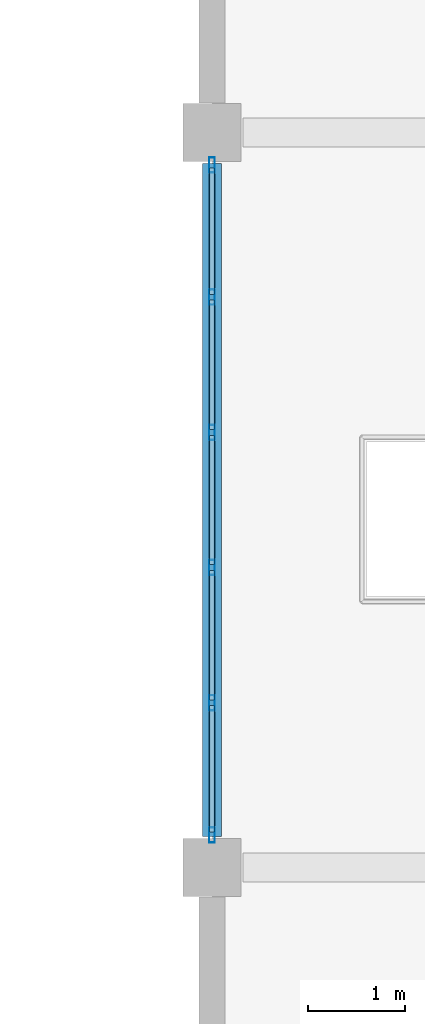
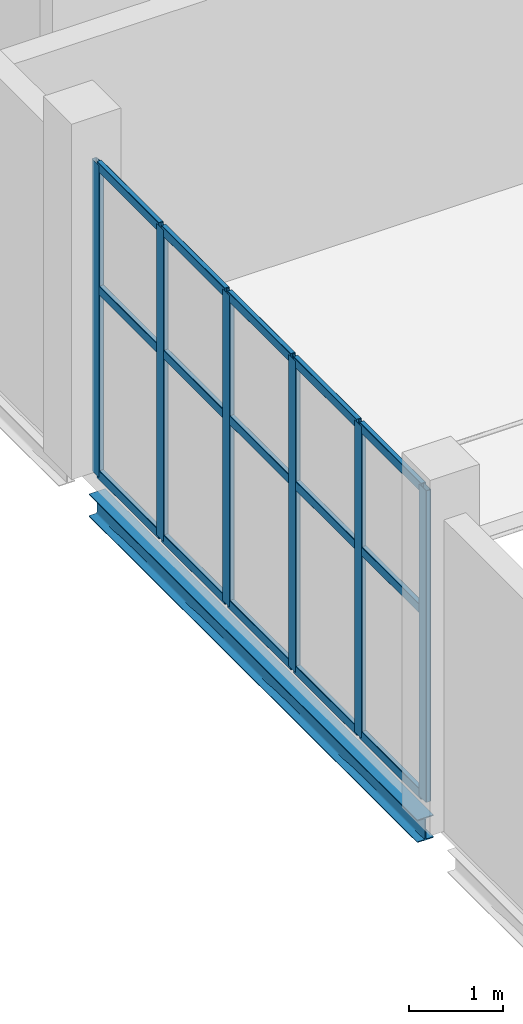
# One storey, part 68 of 136: 21 members, 1 beam, 1 element without a shape of its own.
"""IFC4 building model written with IfcOpenShell, lengths in metres."""

from ifc_helpers import new_model, si_unit, direction, frame, origin, origin_2d, place, context, subcontext, project, spatial, hollow_rectangle, i_section, extrude, material, material_profile, profile_set, type_object, element, aggregate, save


model = new_model("IFC4")

# Units and contexts
model_context = context("Model", 3, precision=1e-05, world=origin(), true_north=direction((0.0, 1.0)))
body_context = subcontext(model_context, "Body", "Model", "MODEL_VIEW")
ifc_project = project(units=[si_unit("LENGTHUNIT", "METRE"), si_unit("AREAUNIT", "SQUARE_METRE"), si_unit("VOLUMEUNIT", "CUBIC_METRE"), si_unit("PLANEANGLEUNIT", "RADIAN"), si_unit("MASSUNIT", "GRAM", prefix="KILO")], contexts=[model_context])

# Site, building, storey
site_placement = place(None, origin())
site = spatial("IfcSite", under=ifc_project, at=site_placement, CompositionType="ELEMENT")
building_placement = place(site_placement, origin())
building = spatial("IfcBuilding", under=site, at=building_placement, Name="Shengluoqiao Park Theatre", CompositionType="ELEMENT")
storey_placement = place(building_placement, frame((0.0, 0.0, 10.0)))
storey = spatial("IfcBuildingStorey", under=building, at=storey_placement, Name="L02", CompositionType="ELEMENT", Elevation=10.0)

# Curtain wall, members
ifc_material_1 = material(Name="Aluminium 6063-T6", Category="aluminium")
curtain_wall_type = type_object("IfcCurtainWallType", Name="ENV-CW-COURT", PredefinedType="NOTDEFINED", material=ifc_material_1)
curtain_wall_placement = place(storey_placement, origin())
curtain_wall = element("IfcCurtainWall", 1, at=curtain_wall_placement, inside=storey, type_object=curtain_wall_type, Name="L02 Curtain Wall CWX-L02-0207", PredefinedType="NOTDEFINED")
ifc_material_profile_1 = material_profile(ifc_material_1, hollow_rectangle(XDim=0.06005859375, YDim=0.159912109375, WallThickness=0.00390625, InnerFilletRadius=0.00390625, OuterFilletRadius=0.008056640625, at=origin_2d()), Name="ALU MULLION 160x60x4")
ifc_profile_set_1 = profile_set([ifc_material_profile_1], Name="Aluminium 6063-T6")
member_type_1 = type_object("IfcMemberType", Name="ENV-MUL-160", PredefinedType="MULLION", material=ifc_profile_set_1)
member_1_placement = place(storey_placement, frame((148.39990234375, 7.93408203125, 0.0), z_axis=(0.0, 0.0, 1.0), x_axis=(-1.0, 0.0, 0.0)))
member_1 = element("IfcMember", 2, at=member_1_placement, type_object=member_type_1, Name="CW-05 mullion 1", PredefinedType="MULLION", context=body_context, shape_type="SweptSolid", body=[
    extrude(hollow_rectangle(XDim=0.06005859375, YDim=0.159912109375, WallThickness=0.00390625, InnerFilletRadius=0.00390625, OuterFilletRadius=0.008056640625, at=origin_2d()), origin(), (0.0, 0.0, 1.0), 4.033935546875),
])
member_2_placement = place(storey_placement, frame((148.39990234375, 9.302490234375, 0.0), z_axis=(0.0, 0.0, 1.0), x_axis=(-1.0, 0.0, 0.0)))
member_2 = element("IfcMember", 3, at=member_2_placement, type_object=member_type_1, Name="CW-05 mullion 2", PredefinedType="MULLION", context=body_context, shape_type="SweptSolid", body=[
    extrude(hollow_rectangle(XDim=0.06005859375, YDim=0.159912109375, WallThickness=0.00390625, InnerFilletRadius=0.00390625, OuterFilletRadius=0.008056640625, at=origin_2d()), origin(), (0.0, 0.0, 1.0), 4.033935546875),
])
member_3_placement = place(storey_placement, frame((148.39990234375, 10.70068359375, 0.0), z_axis=(0.0, 0.0, 1.0), x_axis=(-1.0, 0.0, 0.0)))
member_3 = element("IfcMember", 4, at=member_3_placement, type_object=member_type_1, Name="CW-05 mullion 3", PredefinedType="MULLION", context=body_context, shape_type="SweptSolid", body=[
    extrude(hollow_rectangle(XDim=0.06005859375, YDim=0.159912109375, WallThickness=0.00390625, InnerFilletRadius=0.00390625, OuterFilletRadius=0.008056640625, at=origin_2d()), origin(), (0.0, 0.0, 1.0), 4.033935546875),
])
member_4_placement = place(storey_placement, frame((148.39990234375, 12.09912109375, 0.0), z_axis=(0.0, 0.0, 1.0), x_axis=(-1.0, 0.0, 0.0)))
member_4 = element("IfcMember", 5, at=member_4_placement, type_object=member_type_1, Name="CW-05 mullion 4", PredefinedType="MULLION", context=body_context, shape_type="SweptSolid", body=[
    extrude(hollow_rectangle(XDim=0.06005859375, YDim=0.159912109375, WallThickness=0.00390625, InnerFilletRadius=0.00390625, OuterFilletRadius=0.008056640625, at=origin_2d()), origin(), (0.0, 0.0, 1.0), 4.033935546875),
])
member_5_placement = place(storey_placement, frame((148.39990234375, 13.49755859375, 0.0), z_axis=(0.0, 0.0, 1.0), x_axis=(-1.0, 0.0, 0.0)))
member_5 = element("IfcMember", 6, at=member_5_placement, type_object=member_type_1, Name="CW-05 mullion 5", PredefinedType="MULLION", context=body_context, shape_type="SweptSolid", body=[
    extrude(hollow_rectangle(XDim=0.06005859375, YDim=0.159912109375, WallThickness=0.00390625, InnerFilletRadius=0.00390625, OuterFilletRadius=0.008056640625, at=origin_2d()), origin(), (0.0, 0.0, 1.0), 4.033935546875),
])
member_6_placement = place(storey_placement, frame((148.39990234375, 14.865966796875, 0.0), z_axis=(0.0, 0.0, 1.0), x_axis=(-1.0, 0.0, 0.0)))
member_6 = element("IfcMember", 7, at=member_6_placement, type_object=member_type_1, Name="CW-05 mullion 6", PredefinedType="MULLION", context=body_context, shape_type="SweptSolid", body=[
    extrude(hollow_rectangle(XDim=0.06005859375, YDim=0.159912109375, WallThickness=0.00390625, InnerFilletRadius=0.00390625, OuterFilletRadius=0.008056640625, at=origin_2d()), origin(), (0.0, 0.0, 1.0), 4.033935546875),
])
ifc_material_profile_2 = material_profile(ifc_material_1, hollow_rectangle(XDim=0.06005859375, YDim=0.1201171875, WallThickness=0.00390625, InnerFilletRadius=0.00390625, OuterFilletRadius=0.008056640625, at=origin_2d()), Name="ALU TRANSOM 120x60x4")
ifc_profile_set_2 = profile_set([ifc_material_profile_2], Name="Aluminium 6063-T6")
member_type_2 = type_object("IfcMemberType", Name="ENV-TRN-120", PredefinedType="USERDEFINED", material=ifc_profile_set_2)
member_7_placement = place(storey_placement, frame((148.39990234375, 7.964111328125, 0.030029296875), z_axis=(0.0, 1.0, 0.0), x_axis=(-1.0, 0.0, 0.0)))
member_7 = element("IfcMember", 8, at=member_7_placement, type_object=member_type_2, Name="CW-05 transom 1.1", ObjectType="TRANSOM", PredefinedType="USERDEFINED", context=body_context, shape_type="SweptSolid", body=[
    extrude(hollow_rectangle(XDim=0.06005859375, YDim=0.1201171875, WallThickness=0.00390625, InnerFilletRadius=0.00390625, OuterFilletRadius=0.008056640625, at=origin_2d()), origin(), (0.0, 0.0, 1.0), 1.308349609375),
])
member_8_placement = place(storey_placement, frame((148.39990234375, 7.964111328125, 2.419921875), z_axis=(0.0, 1.0, 0.0), x_axis=(-1.0, 0.0, 0.0)))
member_8 = element("IfcMember", 9, at=member_8_placement, type_object=member_type_2, Name="CW-05 transom 1.2", ObjectType="TRANSOM", PredefinedType="USERDEFINED", context=body_context, shape_type="SweptSolid", body=[
    extrude(hollow_rectangle(XDim=0.06005859375, YDim=0.1201171875, WallThickness=0.00390625, InnerFilletRadius=0.00390625, OuterFilletRadius=0.008056640625, at=origin_2d()), origin(), (0.0, 0.0, 1.0), 1.308349609375),
])
member_9_placement = place(storey_placement, frame((148.39990234375, 7.964111328125, 4.00390625), z_axis=(0.0, 1.0, 0.0), x_axis=(-1.0, 0.0, 0.0)))
member_9 = element("IfcMember", 10, at=member_9_placement, type_object=member_type_2, Name="CW-05 transom 1.3", ObjectType="TRANSOM", PredefinedType="USERDEFINED", context=body_context, shape_type="SweptSolid", body=[
    extrude(hollow_rectangle(XDim=0.06005859375, YDim=0.1201171875, WallThickness=0.00390625, InnerFilletRadius=0.00390625, OuterFilletRadius=0.008056640625, at=origin_2d()), origin(), (0.0, 0.0, 1.0), 1.308349609375),
])
member_10_placement = place(storey_placement, frame((148.39990234375, 9.33251953125, 0.030029296875), z_axis=(0.0, 1.0, 0.0), x_axis=(-1.0, 0.0, 0.0)))
member_10 = element("IfcMember", 11, at=member_10_placement, type_object=member_type_2, Name="CW-05 transom 2.1", ObjectType="TRANSOM", PredefinedType="USERDEFINED", context=body_context, shape_type="SweptSolid", body=[
    extrude(hollow_rectangle(XDim=0.06005859375, YDim=0.1201171875, WallThickness=0.00390625, InnerFilletRadius=0.00390625, OuterFilletRadius=0.008056640625, at=origin_2d()), origin(), (0.0, 0.0, 1.0), 1.33837890625),
])
member_11_placement = place(storey_placement, frame((148.39990234375, 9.33251953125, 2.419921875), z_axis=(0.0, 1.0, 0.0), x_axis=(-1.0, 0.0, 0.0)))
member_11 = element("IfcMember", 12, at=member_11_placement, type_object=member_type_2, Name="CW-05 transom 2.2", ObjectType="TRANSOM", PredefinedType="USERDEFINED", context=body_context, shape_type="SweptSolid", body=[
    extrude(hollow_rectangle(XDim=0.06005859375, YDim=0.1201171875, WallThickness=0.00390625, InnerFilletRadius=0.00390625, OuterFilletRadius=0.008056640625, at=origin_2d()), origin(), (0.0, 0.0, 1.0), 1.33837890625),
])
member_12_placement = place(storey_placement, frame((148.39990234375, 9.33251953125, 4.00390625), z_axis=(0.0, 1.0, 0.0), x_axis=(-1.0, 0.0, 0.0)))
member_12 = element("IfcMember", 13, at=member_12_placement, type_object=member_type_2, Name="CW-05 transom 2.3", ObjectType="TRANSOM", PredefinedType="USERDEFINED", context=body_context, shape_type="SweptSolid", body=[
    extrude(hollow_rectangle(XDim=0.06005859375, YDim=0.1201171875, WallThickness=0.00390625, InnerFilletRadius=0.00390625, OuterFilletRadius=0.008056640625, at=origin_2d()), origin(), (0.0, 0.0, 1.0), 1.33837890625),
])
member_13_placement = place(storey_placement, frame((148.39990234375, 10.730712890625, 0.030029296875), z_axis=(0.0, 1.0, 0.0), x_axis=(-1.0, 0.0, 0.0)))
member_13 = element("IfcMember", 14, at=member_13_placement, type_object=member_type_2, Name="CW-05 transom 3.1", ObjectType="TRANSOM", PredefinedType="USERDEFINED", context=body_context, shape_type="SweptSolid", body=[
    extrude(hollow_rectangle(XDim=0.06005859375, YDim=0.1201171875, WallThickness=0.00390625, InnerFilletRadius=0.00390625, OuterFilletRadius=0.008056640625, at=origin_2d()), origin(), (0.0, 0.0, 1.0), 1.33837890625),
])
member_14_placement = place(storey_placement, frame((148.39990234375, 10.730712890625, 2.419921875), z_axis=(0.0, 1.0, 0.0), x_axis=(-1.0, 0.0, 0.0)))
member_14 = element("IfcMember", 15, at=member_14_placement, type_object=member_type_2, Name="CW-05 transom 3.2", ObjectType="TRANSOM", PredefinedType="USERDEFINED", context=body_context, shape_type="SweptSolid", body=[
    extrude(hollow_rectangle(XDim=0.06005859375, YDim=0.1201171875, WallThickness=0.00390625, InnerFilletRadius=0.00390625, OuterFilletRadius=0.008056640625, at=origin_2d()), origin(), (0.0, 0.0, 1.0), 1.33837890625),
])
member_15_placement = place(storey_placement, frame((148.39990234375, 10.730712890625, 4.00390625), z_axis=(0.0, 1.0, 0.0), x_axis=(-1.0, 0.0, 0.0)))
member_15 = element("IfcMember", 16, at=member_15_placement, type_object=member_type_2, Name="CW-05 transom 3.3", ObjectType="TRANSOM", PredefinedType="USERDEFINED", context=body_context, shape_type="SweptSolid", body=[
    extrude(hollow_rectangle(XDim=0.06005859375, YDim=0.1201171875, WallThickness=0.00390625, InnerFilletRadius=0.00390625, OuterFilletRadius=0.008056640625, at=origin_2d()), origin(), (0.0, 0.0, 1.0), 1.33837890625),
])
member_16_placement = place(storey_placement, frame((148.39990234375, 12.129150390625, 0.030029296875), z_axis=(0.0, 1.0, 0.0), x_axis=(-1.0, 0.0, 0.0)))
member_16 = element("IfcMember", 17, at=member_16_placement, type_object=member_type_2, Name="CW-05 transom 4.1", ObjectType="TRANSOM", PredefinedType="USERDEFINED", context=body_context, shape_type="SweptSolid", body=[
    extrude(hollow_rectangle(XDim=0.06005859375, YDim=0.1201171875, WallThickness=0.00390625, InnerFilletRadius=0.00390625, OuterFilletRadius=0.008056640625, at=origin_2d()), origin(), (0.0, 0.0, 1.0), 1.33837890625),
])
member_17_placement = place(storey_placement, frame((148.39990234375, 12.129150390625, 2.419921875), z_axis=(0.0, 1.0, 0.0), x_axis=(-1.0, 0.0, 0.0)))
member_17 = element("IfcMember", 18, at=member_17_placement, type_object=member_type_2, Name="CW-05 transom 4.2", ObjectType="TRANSOM", PredefinedType="USERDEFINED", context=body_context, shape_type="SweptSolid", body=[
    extrude(hollow_rectangle(XDim=0.06005859375, YDim=0.1201171875, WallThickness=0.00390625, InnerFilletRadius=0.00390625, OuterFilletRadius=0.008056640625, at=origin_2d()), origin(), (0.0, 0.0, 1.0), 1.33837890625),
])
member_18_placement = place(storey_placement, frame((148.39990234375, 12.129150390625, 4.00390625), z_axis=(0.0, 1.0, 0.0), x_axis=(-1.0, 0.0, 0.0)))
member_18 = element("IfcMember", 19, at=member_18_placement, type_object=member_type_2, Name="CW-05 transom 4.3", ObjectType="TRANSOM", PredefinedType="USERDEFINED", context=body_context, shape_type="SweptSolid", body=[
    extrude(hollow_rectangle(XDim=0.06005859375, YDim=0.1201171875, WallThickness=0.00390625, InnerFilletRadius=0.00390625, OuterFilletRadius=0.008056640625, at=origin_2d()), origin(), (0.0, 0.0, 1.0), 1.33837890625),
])
member_19_placement = place(storey_placement, frame((148.39990234375, 13.527587890625, 0.030029296875), z_axis=(0.0, 1.0, 0.0), x_axis=(-1.0, 0.0, 0.0)))
member_19 = element("IfcMember", 20, at=member_19_placement, type_object=member_type_2, Name="CW-05 transom 5.1", ObjectType="TRANSOM", PredefinedType="USERDEFINED", context=body_context, shape_type="SweptSolid", body=[
    extrude(hollow_rectangle(XDim=0.06005859375, YDim=0.1201171875, WallThickness=0.00390625, InnerFilletRadius=0.00390625, OuterFilletRadius=0.008056640625, at=origin_2d()), origin(), (0.0, 0.0, 1.0), 1.308349609375),
])
member_20_placement = place(storey_placement, frame((148.39990234375, 13.527587890625, 2.419921875), z_axis=(0.0, 1.0, 0.0), x_axis=(-1.0, 0.0, 0.0)))
member_20 = element("IfcMember", 21, at=member_20_placement, type_object=member_type_2, Name="CW-05 transom 5.2", ObjectType="TRANSOM", PredefinedType="USERDEFINED", context=body_context, shape_type="SweptSolid", body=[
    extrude(hollow_rectangle(XDim=0.06005859375, YDim=0.1201171875, WallThickness=0.00390625, InnerFilletRadius=0.00390625, OuterFilletRadius=0.008056640625, at=origin_2d()), origin(), (0.0, 0.0, 1.0), 1.308349609375),
])
member_21_placement = place(storey_placement, frame((148.39990234375, 13.527587890625, 4.00390625), z_axis=(0.0, 1.0, 0.0), x_axis=(-1.0, 0.0, 0.0)))
member_21 = element("IfcMember", 22, at=member_21_placement, type_object=member_type_2, Name="CW-05 transom 5.3", ObjectType="TRANSOM", PredefinedType="USERDEFINED", context=body_context, shape_type="SweptSolid", body=[
    extrude(hollow_rectangle(XDim=0.06005859375, YDim=0.1201171875, WallThickness=0.00390625, InnerFilletRadius=0.00390625, OuterFilletRadius=0.008056640625, at=origin_2d()), origin(), (0.0, 0.0, 1.0), 1.308349609375),
])
aggregate(curtain_wall, [member_1, member_2, member_3, member_4, member_5, member_6, member_7, member_8, member_9, member_10, member_11, member_12, member_13, member_14, member_15, member_16, member_17, member_18, member_19, member_20, member_21])

# Beam
ifc_material_2 = material(Name="Steel Q355", Category="steel")
ifc_material_profile_3 = material_profile(ifc_material_2, i_section(OverallWidth=0.199951171875, OverallDepth=0.2939453125, WebThickness=0.008056640625, FlangeThickness=0.011962890625, FilletRadius=0.01611328125, at=origin_2d()), Name="HM 294x200x8x12")
ifc_profile_set_3 = profile_set([ifc_material_profile_3], Name="Steel Q355")
beam_type = type_object("IfcBeamType", Name="STR-BM-G-HM294", PredefinedType="BEAM", material=ifc_profile_set_3)
beam_placement = place(storey_placement, frame((148.39990234375, 7.9189453125, -0.386962890625), z_axis=(0.0, 1.0, 0.0), x_axis=(-1.0, 0.0, 0.0)))
element("IfcBeam", 23, at=beam_placement, inside=storey, type_object=beam_type, Name="L02 Transverse Girder 01192", PredefinedType="BEAM", context=body_context, shape_type="SweptSolid", body=[
    extrude(i_section(OverallWidth=0.199951171875, OverallDepth=0.2939453125, WebThickness=0.008056640625, FlangeThickness=0.011962890625, FilletRadius=0.01611328125, at=origin_2d()), origin(), (0.0, 0.0, 1.0), 6.962158203125),
])

save(model, "model.ifc")
